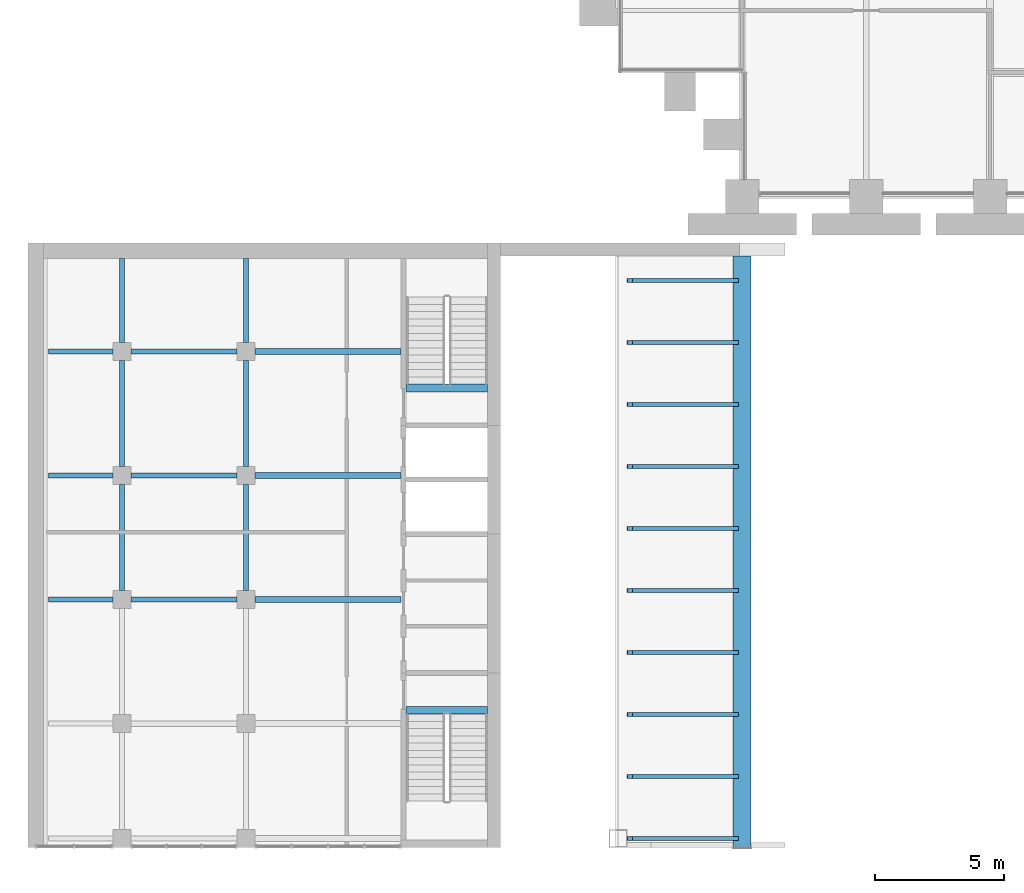
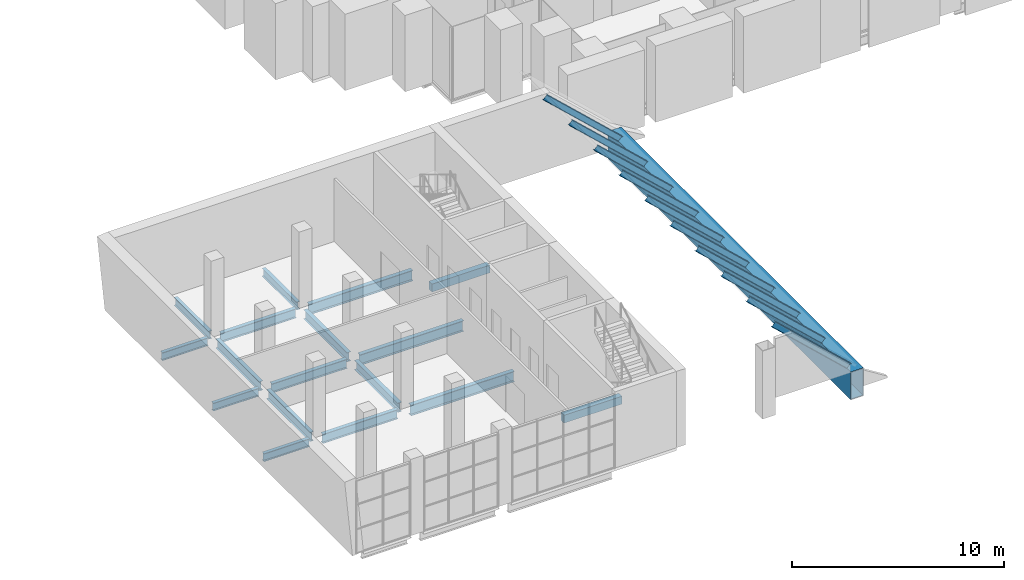
# One storey, part 5 of 30: 28 beams.
"""IFC4 building model written with IfcOpenShell, lengths in metres."""

import ifcopenshell
import ifcopenshell.guid

model = None  # the IFC model being written
_history = None  # IfcOwnerHistory: only IFC2X3 demands one
_inside = {}  # id of a spatial element -> (the spatial element, [elements in it])
_under = {}  # id of a project, library or spatial element -> (it, [spatial elements below it])
_declared = {}  # id of a project -> (the project, [libraries it declares])
_typed = {}  # id of a type object -> (the type object, [elements of that type])
_made_of = {}  # id of a material, layer set ... -> (it, [elements and type objects made of it])


def new_model(schema):
    """Start an empty IFC model of exactly this schema.

    Asked for "IFC4X3", IfcOpenShell would pick the latest addendum, in which some entities
    have other attributes; the version numbers below select the first issue.
    IFC2X3 requires an IfcOwnerHistory on every rooted entity: one is made here for all.
    """
    global model, _history
    if schema == "IFC4X3":
        model = ifcopenshell.file(schema_version=(4, 3, 0, 0))
    else:
        model = ifcopenshell.file(schema=schema)
    _inside.clear()
    _under.clear()
    _declared.clear()
    _typed.clear()
    _made_of.clear()
    _history = None
    if model.schema == "IFC2X3":
        org = make("IfcOrganization", Name="unknown")
        user = make(
            "IfcPersonAndOrganization",
            ThePerson=make("IfcPerson", FamilyName="unknown"),
            TheOrganization=org,
        )
        app = make(
            "IfcApplication",
            ApplicationDeveloper=org,
            Version="unknown",
            ApplicationFullName="unknown",
            ApplicationIdentifier="unknown",
        )
        _history = make(
            "IfcOwnerHistory",
            OwningUser=user,
            OwningApplication=app,
            ChangeAction="ADDED",
            CreationDate=0,
        )
    return model


def make(cls, **values):
    """One entity of the class cls with the attributes given. An attribute that is None is left unset."""
    return model.create_entity(
        cls, **{name: value for name, value in values.items() if value is not None}
    )


def rooted(cls, **values):
    """An entity with a GlobalId (a new one), such as an element, a storey or a relation."""
    return make(cls, GlobalId=ifcopenshell.guid.new(), OwnerHistory=_history, **values)


def si_unit(unit_type, name, prefix=None):
    """IfcSIUnit, for example si_unit("LENGTHUNIT", "METRE", prefix="MILLI")."""
    return make("IfcSIUnit", UnitType=unit_type, Prefix=prefix, Name=name)


def assignment(units):
    """IfcUnitAssignment: the units of a project."""
    return None if units is None else make("IfcUnitAssignment", Units=units)


def point(xyz):
    """IfcCartesianPoint."""
    return None if xyz is None else make("IfcCartesianPoint", Coordinates=xyz)


def direction(xyz):
    """IfcDirection."""
    return None if xyz is None else make("IfcDirection", DirectionRatios=xyz)


def frame(location, z_axis=None, x_axis=None):
    """IfcAxis2Placement3D, a coordinate frame: its origin and axes. An axis left out is left unset."""
    return make(
        "IfcAxis2Placement3D",
        Location=point(location),
        Axis=direction(z_axis),
        RefDirection=direction(x_axis),
    )


def frame_2d(location, x_axis=None):
    """IfcAxis2Placement2D, a coordinate frame in the plane: its origin and x axis."""
    return make(
        "IfcAxis2Placement2D", Location=point(location), RefDirection=direction(x_axis)
    )


def origin():
    """The frame at (0, 0, 0) with its axes left unset."""
    return frame((0.0, 0.0, 0.0))


def origin_2d():
    """The frame at (0, 0) in the plane with its x axis left unset."""
    return frame_2d((0.0, 0.0))


def place(relative_to, where):
    """IfcLocalPlacement: puts the frame where relative to a parent placement (None: the world)."""
    return make(
        "IfcLocalPlacement", PlacementRelTo=relative_to, RelativePlacement=where
    )


def context(
    kind, dimensions, precision=None, world=None, true_north=None, identifier=None
):
    """IfcGeometricRepresentationContext, for example the 3D "Model" context."""
    return make(
        "IfcGeometricRepresentationContext",
        ContextIdentifier=identifier,
        ContextType=kind,
        CoordinateSpaceDimension=dimensions,
        Precision=precision,
        WorldCoordinateSystem=world,
        TrueNorth=true_north,
    )


def subcontext(parent, identifier, kind, view, scale=None):
    """IfcGeometricRepresentationSubContext, for example "Body" below "Model"."""
    return make(
        "IfcGeometricRepresentationSubContext",
        ContextIdentifier=identifier,
        ContextType=kind,
        ParentContext=parent,
        TargetScale=scale,
        TargetView=view,
    )


def project(units=None, contexts=None):
    """IfcProject with its units and contexts."""
    return rooted(
        "IfcProject",
        Name="project",
        RepresentationContexts=contexts,
        UnitsInContext=assignment(units),
    )


def spatial(cls, under=None, at=None, **own):
    """A site, building, storey or space (cls), placed at a placement, below another one or the project."""
    s = rooted(cls, ObjectPlacement=at, **own)
    if under is not None:
        _under.setdefault(under.id(), (under, []))[1].append(s)
    return s


def profile(cls, at=None, kind="AREA", **sizes):
    """A parametric profile (cls). Its sizes go by their IFC names, for example OverallWidth=200.0."""
    return make(cls, ProfileType=kind, Position=at, **sizes)


def rectangle(**sizes):
    """IfcRectangleProfileDef."""
    return profile("IfcRectangleProfileDef", **sizes)


def hollow_rectangle(**sizes):
    """IfcRectangleHollowProfileDef."""
    return profile("IfcRectangleHollowProfileDef", **sizes)


def i_section(**sizes):
    """IfcIShapeProfileDef."""
    return profile("IfcIShapeProfileDef", **sizes)


def extrude(swept, where, along, depth):
    """IfcExtrudedAreaSolid: the profile swept, set in the frame where, extruded along a direction by depth."""
    return make(
        "IfcExtrudedAreaSolid",
        SweptArea=swept,
        Position=where,
        ExtrudedDirection=direction(along),
        Depth=depth,
    )


def shape(context_of_items, identifier, shape_type, items):
    """IfcShapeRepresentation: the items that make up one representation, for example the "Body"."""
    return make(
        "IfcShapeRepresentation",
        ContextOfItems=context_of_items,
        RepresentationIdentifier=identifier,
        RepresentationType=shape_type,
        Items=items,
    )


def material(Name=None, Category=None):
    """IfcMaterial."""
    return make("IfcMaterial", Name=Name, Category=Category)


def material_profile(
    of_material, cross_section, Name=None, Category=None, Priority=None
):
    """IfcMaterialProfile: a cross section and its material."""
    return make(
        "IfcMaterialProfile",
        Name=Name,
        Material=of_material,
        Profile=cross_section,
        Priority=Priority,
        Category=Category,
    )


def profile_set(profiles, Name=None, composite=None):
    """IfcMaterialProfileSet."""
    return make(
        "IfcMaterialProfileSet",
        Name=Name,
        MaterialProfiles=profiles,
        CompositeProfile=composite,
    )


def made_of(thing, what):
    """Note that an element or type object is made of a material, layer set ...; save() writes the relation."""
    if what is not None:
        _made_of.setdefault(what.id(), (what, []))[1].append(thing)
    return thing


def type_object(cls, material=None, **own):
    """A type object (cls), such as IfcWallType, which elements share."""
    return made_of(rooted(cls, **own), material)


def element(
    cls,
    number,
    at=None,
    inside=None,
    cuts=None,
    type_object=None,
    material=None,
    context=None,
    identifier="Body",
    shape_type=None,
    held_by="IfcProductDefinitionShape",
    body=None,
    shapes=None,
    **own,
):
    """One element of the class cls, such as IfcWall. Its Tag is "e" and its number.

    at: its placement. inside: the storey or other place that contains it. cuts: it is an
    opening in that element (IfcRelVoidsElement). A single representation is given by context,
    identifier, shape_type and body (its items); several are given by shapes. held_by: the class
    of the entity that holds the representations. save() writes the other relations.
    """
    e = rooted(cls, Tag="e%d" % number, ObjectPlacement=at, **own)
    if body is not None:
        shapes = [shape(context, identifier, shape_type, body)]
    if shapes is not None:
        e.Representation = make(held_by, Representations=shapes)
    if inside is not None:
        _inside.setdefault(inside.id(), (inside, []))[1].append(e)
    if cuts is not None:
        rooted(
            "IfcRelVoidsElement", RelatingBuildingElement=cuts, RelatedOpeningElement=e
        )
    if type_object is not None:
        _typed.setdefault(type_object.id(), (type_object, []))[1].append(e)
    return made_of(e, material)


def aggregate(whole, parts):
    """IfcRelAggregates: a whole, such as a stair, and the parts it consists of."""
    return rooted("IfcRelAggregates", RelatingObject=whole, RelatedObjects=parts)


def save(model, path):
    """Write the relations noted so far, then the file.

    IfcRelAggregates (storeys below a building ...), IfcRelContainedInSpatialStructure (elements
    in a storey), IfcRelDefinesByType, IfcRelAssociatesMaterial and IfcRelDeclares: one each for
    every whole, place, type object, material and project.
    """
    for whole, parts in _under.values():
        aggregate(whole, parts)
    for where, things in _inside.values():
        rooted(
            "IfcRelContainedInSpatialStructure",
            RelatedElements=things,
            RelatingStructure=where,
        )
    for kind, things in _typed.values():
        rooted("IfcRelDefinesByType", RelatedObjects=things, RelatingType=kind)
    for what, things in _made_of.values():
        rooted("IfcRelAssociatesMaterial", RelatedObjects=things, RelatingMaterial=what)
    for by, libraries in _declared.values():
        rooted("IfcRelDeclares", RelatingContext=by, RelatedDefinitions=libraries)
    model.write(path)


model = new_model("IFC4")

# Units and contexts
model_context = context("Model", 3, precision=1e-05, world=origin(), true_north=direction((0.0, 1.0)))
body_context = subcontext(model_context, "Body", "Model", "MODEL_VIEW")
ifc_project = project(units=[si_unit("LENGTHUNIT", "METRE"), si_unit("AREAUNIT", "SQUARE_METRE"), si_unit("VOLUMEUNIT", "CUBIC_METRE"), si_unit("PLANEANGLEUNIT", "RADIAN"), si_unit("MASSUNIT", "GRAM", prefix="KILO")], contexts=[model_context])

# Site, building, storey
site_placement = place(None, origin())
site = spatial("IfcSite", under=ifc_project, at=site_placement, CompositionType="ELEMENT")
building_placement = place(site_placement, origin())
building = spatial("IfcBuilding", under=site, at=building_placement, Name="Baori Bourse Tower", CompositionType="ELEMENT")
storey_placement = place(building_placement, frame((0.0, 0.0, 17.0)))
storey = spatial("IfcBuildingStorey", under=building, at=storey_placement, Name="L02", CompositionType="ELEMENT", Elevation=17.0)

# Beams
ifc_material_1 = material(Name="Steel A572 Gr 50", Category="steel")
ifc_material_profile_1 = material_profile(ifc_material_1, hollow_rectangle(XDim=0.699951171875, YDim=1.60009765625, WallThickness=0.030029296875, at=origin_2d()), Name="BOX 1600x700x30")
ifc_profile_set_1 = profile_set([ifc_material_profile_1], Name="Steel A572 Gr 50")
beam_type_1 = type_object("IfcBeamType", Name="Hall box girder 1600x700", PredefinedType="BEAM", material=ifc_profile_set_1)
beam_1_placement = place(storey_placement, frame((9.60009765625, -25.199951171875, 0.244873046875), z_axis=(0.0, 1.0, 0.0), x_axis=(-1.0, 0.0, 0.0)))
element("IfcBeam", 1, at=beam_1_placement, inside=storey, type_object=beam_type_1, Name="wing/L02/girder/001", PredefinedType="BEAM", context=body_context, shape_type="SweptSolid", body=[
    extrude(hollow_rectangle(XDim=0.699951171875, YDim=1.60009765625, WallThickness=0.030029296875, at=origin_2d()), origin(), (0.0, 0.0, 1.0), 22.89990234375),
])
ifc_material_2 = material(Name="Concrete f'c 40 MPa", Category="concrete")
ifc_material_profile_2 = material_profile(ifc_material_2, rectangle(XDim=0.300048828125, YDim=0.449951171875, at=origin_2d()), Name="Stair trimmer beam 300x450")
ifc_profile_set_2 = profile_set([ifc_material_profile_2], Name="Concrete f'c 40 MPa")
beam_type_2 = type_object("IfcBeamType", Name="Stair trimmer beam 300x450", PredefinedType="BEAM", material=ifc_profile_set_2)
for number, where, z_axis, x_axis, name in (
    (2, (-0.25, -7.409912109375, -0.385009765625), (-1.0, 0.0, 0.0), (0.0, -1.0, 0.0), "wing/L02/Wtrimmer/001"),
    (3, (-3.39990234375, -19.889892578125, -0.385009765625), (1.0, 0.0, 0.0), (0.0, 1.0, 0.0), "wing/L02/Wtrimmer/002"),
):
    element("IfcBeam", number, at=place(storey_placement, frame(where, z_axis=z_axis, x_axis=x_axis)), inside=storey, type_object=beam_type_2, Name=name, PredefinedType="BEAM", context=body_context, shape_type="SweptSolid", body=[
        extrude(rectangle(XDim=0.300048828125, YDim=0.449951171875, at=origin_2d()), origin(), (0.0, 0.0, 1.0), 3.14990234375),
    ])
ifc_material_3 = material(Name="Steel A992 Gr 50", Category="steel")
ifc_material_profile_3 = material_profile(ifc_material_3, i_section(OverallWidth=0.164794921875, OverallDepth=0.309814453125, WebThickness=0.005859375, FlangeThickness=0.009765625, at=origin_2d()), Name="W12x26")
ifc_profile_set_3 = profile_set([ifc_material_profile_3], Name="Steel A992 Gr 50")
beam_type_3 = type_object("IfcBeamType", Name="Wing beam W12x26", PredefinedType="BEAM", material=ifc_profile_set_3)
for number, where, z_axis, x_axis, name in (
    (4, (5.255859375, -24.85009765625, 4.988037109375), (0.730761442753, 0.0, -0.682632927557), (0.0, 1.0, 0.0), "wing/L02/purlin/001"),
    (5, (5.255859375, -22.449951171875, 4.988037109375), (0.730761442753, 0.0, -0.682632927557), (0.0, 1.0, 0.0), "wing/L02/purlin/002"),
    (6, (5.255859375, -20.050048828125, 4.988037109375), (0.730761442753, 0.0, -0.682632927557), (0.0, 1.0, 0.0), "wing/L02/purlin/003"),
    (7, (5.255859375, -17.64990234375, 4.988037109375), (0.730761442753, 0.0, -0.682632927557), (0.0, 1.0, 0.0), "wing/L02/purlin/004"),
    (8, (5.255859375, -15.25, 4.988037109375), (0.730761442753, 0.0, -0.682632927557), (0.0, 1.0, 0.0), "wing/L02/purlin/005"),
    (9, (5.255859375, -12.85009765625, 4.988037109375), (0.730761442753, 0.0, -0.682632927557), (0.0, 1.0, 0.0), "wing/L02/purlin/006"),
    (10, (5.255859375, -10.449951171875, 4.988037109375), (0.730761442753, 0.0, -0.682632927557), (0.0, 1.0, 0.0), "wing/L02/purlin/007"),
    (11, (5.255859375, -8.050048828125, 4.988037109375), (0.730761442753, 0.0, -0.682632927557), (0.0, 1.0, 0.0), "wing/L02/purlin/008"),
    (12, (5.255859375, -5.64990234375, 4.988037109375), (0.730761442753, 0.0, -0.682632927557), (0.0, 1.0, 0.0), "wing/L02/purlin/009"),
    (13, (5.255859375, -3.25, 4.988037109375), (0.730761442753, 0.0, -0.682632927557), (0.0, 1.0, 0.0), "wing/L02/purlin/010"),
):
    element("IfcBeam", number, at=place(storey_placement, frame(where, z_axis=z_axis, x_axis=x_axis)), inside=storey, type_object=beam_type_3, Name=name, PredefinedType="BEAM", context=body_context, shape_type="SweptSolid", body=[
        extrude(i_section(OverallWidth=0.164794921875, OverallDepth=0.309814453125, WebThickness=0.005859375, FlangeThickness=0.009765625, at=origin_2d()), origin(), (0.0, 0.0, 1.0), 5.6103515625),
    ])
ifc_material_4 = material(Name="Steel A992 Gr 50", Category="steel")
ifc_material_profile_4 = material_profile(ifc_material_4, i_section(OverallWidth=0.1904296875, OverallDepth=0.457275390625, WebThickness=0.009033203125, FlangeThickness=0.014404296875, at=origin_2d()), Name="W18x50")
ifc_profile_set_4 = profile_set([ifc_material_profile_4], Name="Steel A992 Gr 50")
beam_type_4 = type_object("IfcBeamType", Name="Wing beam W18x50", PredefinedType="BEAM", material=ifc_profile_set_4)
for number, where, z_axis, x_axis, name in (
    (14, (-17.2529296875, -15.60009765625, -0.388671875), (1.0, 0.0, 0.0), (0.0, 1.0, 0.0), "wing/L02/Wbeam/007"),
    (15, (-17.2529296875, -10.800048828125, -0.388671875), (1.0, 0.0, 0.0), (0.0, 1.0, 0.0), "wing/L02/Wbeam/010"),
    (16, (-17.2529296875, -6.0, -0.388671875), (1.0, 0.0, 0.0), (0.0, 1.0, 0.0), "wing/L02/Wbeam/013"),
):
    element("IfcBeam", number, at=place(storey_placement, frame(where, z_axis=z_axis, x_axis=x_axis)), inside=storey, type_object=beam_type_4, Name=name, PredefinedType="BEAM", context=body_context, shape_type="SweptSolid", body=[
        extrude(i_section(OverallWidth=0.1904296875, OverallDepth=0.457275390625, WebThickness=0.009033203125, FlangeThickness=0.014404296875, at=origin_2d()), origin(), (0.0, 0.0, 1.0), 2.5029296875),
    ])
for number, where, z_axis, x_axis, name in (
    (17, (-14.39990234375, -5.64990234375, -0.388671875), (0.0, 1.0, 0.0), (-1.0, 0.0, 0.0), "wing/L02/Wbeamy/005"),
    (18, (-9.60009765625, -5.64990234375, -0.388671875), (0.0, 1.0, 0.0), (-1.0, 0.0, 0.0), "wing/L02/Wbeamy/010"),
):
    element("IfcBeam", number, at=place(storey_placement, frame(where, z_axis=z_axis, x_axis=x_axis)), inside=storey, type_object=beam_type_4, Name=name, PredefinedType="BEAM", context=body_context, shape_type="SweptSolid", body=[
        extrude(i_section(OverallWidth=0.1904296875, OverallDepth=0.457275390625, WebThickness=0.009033203125, FlangeThickness=0.014404296875, at=origin_2d()), origin(), (0.0, 0.0, 1.0), 3.25),
    ])
ifc_material_5 = material(Name="Steel A992 Gr 50", Category="steel")
ifc_material_profile_5 = material_profile(ifc_material_5, i_section(OverallWidth=0.209228515625, OverallDepth=0.533447265625, WebThickness=0.01025390625, FlangeThickness=0.015625, at=origin_2d()), Name="W21x62")
ifc_profile_set_5 = profile_set([ifc_material_profile_5], Name="Steel A992 Gr 50")
beam_type_5 = type_object("IfcBeamType", Name="Wing beam W21x62", PredefinedType="BEAM", material=ifc_profile_set_5)
for number, where, z_axis, x_axis, name in (
    (19, (-14.050048828125, -15.60009765625, -0.4267578125), (1.0, 0.0, 0.0), (0.0, 1.0, 0.0), "wing/L02/Wbeam/008"),
    (20, (-14.050048828125, -10.800048828125, -0.4267578125), (1.0, 0.0, 0.0), (0.0, 1.0, 0.0), "wing/L02/Wbeam/011"),
    (21, (-14.050048828125, -6.0, -0.4267578125), (1.0, 0.0, 0.0), (0.0, 1.0, 0.0), "wing/L02/Wbeam/014"),
    (22, (-14.39990234375, -15.25, -0.4267578125), (0.0, 1.0, 0.0), (-1.0, 0.0, 0.0), "wing/L02/Wbeamy/003"),
):
    element("IfcBeam", number, at=place(storey_placement, frame(where, z_axis=z_axis, x_axis=x_axis)), inside=storey, type_object=beam_type_5, Name=name, PredefinedType="BEAM", context=body_context, shape_type="SweptSolid", body=[
        extrude(i_section(OverallWidth=0.209228515625, OverallDepth=0.533447265625, WebThickness=0.01025390625, FlangeThickness=0.015625, at=origin_2d()), origin(), (0.0, 0.0, 1.0), 4.10009765625),
    ])
beam_2_placement = place(storey_placement, frame((-14.39990234375, -10.449951171875, -0.4267578125), z_axis=(0.0, 1.0, 0.0), x_axis=(-1.0, 0.0, 0.0)))
element("IfcBeam", 23, at=beam_2_placement, inside=storey, type_object=beam_type_5, Name="wing/L02/Wbeamy/004", PredefinedType="BEAM", context=body_context, shape_type="SweptSolid", body=[
    extrude(i_section(OverallWidth=0.209228515625, OverallDepth=0.533447265625, WebThickness=0.01025390625, FlangeThickness=0.015625, at=origin_2d()), origin(), (0.0, 0.0, 1.0), 4.099853515625),
])
beam_3_placement = place(storey_placement, frame((-9.60009765625, -15.25, -0.4267578125), z_axis=(0.0, 1.0, 0.0), x_axis=(-1.0, 0.0, 0.0)))
element("IfcBeam", 24, at=beam_3_placement, inside=storey, type_object=beam_type_5, Name="wing/L02/Wbeamy/008", PredefinedType="BEAM", context=body_context, shape_type="SweptSolid", body=[
    extrude(i_section(OverallWidth=0.209228515625, OverallDepth=0.533447265625, WebThickness=0.01025390625, FlangeThickness=0.015625, at=origin_2d()), origin(), (0.0, 0.0, 1.0), 4.10009765625),
])
beam_4_placement = place(storey_placement, frame((-9.60009765625, -10.449951171875, -0.4267578125), z_axis=(0.0, 1.0, 0.0), x_axis=(-1.0, 0.0, 0.0)))
element("IfcBeam", 25, at=beam_4_placement, inside=storey, type_object=beam_type_5, Name="wing/L02/Wbeamy/009", PredefinedType="BEAM", context=body_context, shape_type="SweptSolid", body=[
    extrude(i_section(OverallWidth=0.209228515625, OverallDepth=0.533447265625, WebThickness=0.01025390625, FlangeThickness=0.015625, at=origin_2d()), origin(), (0.0, 0.0, 1.0), 4.099853515625),
])
ifc_material_6 = material(Name="Steel A992 Gr 50", Category="steel")
ifc_material_profile_6 = material_profile(ifc_material_6, i_section(OverallWidth=0.22900390625, OverallDepth=0.612060546875, WebThickness=0.011962890625, FlangeThickness=0.01953125, at=origin_2d()), Name="W24x84")
ifc_profile_set_6 = profile_set([ifc_material_profile_6], Name="Steel A992 Gr 50")
beam_type_6 = type_object("IfcBeamType", Name="Wing beam W24x84", PredefinedType="BEAM", material=ifc_profile_set_6)
for number, where, z_axis, x_axis, name in (
    (26, (-9.25, -15.60009765625, -0.466064453125), (1.0, 0.0, 0.0), (0.0, 1.0, 0.0), "wing/L02/Wbeam/009"),
    (27, (-9.25, -10.800048828125, -0.466064453125), (1.0, 0.0, 0.0), (0.0, 1.0, 0.0), "wing/L02/Wbeam/012"),
    (28, (-9.25, -6.0, -0.466064453125), (1.0, 0.0, 0.0), (0.0, 1.0, 0.0), "wing/L02/Wbeam/015"),
):
    element("IfcBeam", number, at=place(storey_placement, frame(where, z_axis=z_axis, x_axis=x_axis)), inside=storey, type_object=beam_type_6, Name=name, PredefinedType="BEAM", context=body_context, shape_type="SweptSolid", body=[
        extrude(i_section(OverallWidth=0.22900390625, OverallDepth=0.612060546875, WebThickness=0.011962890625, FlangeThickness=0.01953125, at=origin_2d()), origin(), (0.0, 0.0, 1.0), 5.64990234375),
    ])

save(model, "model.ifc")
